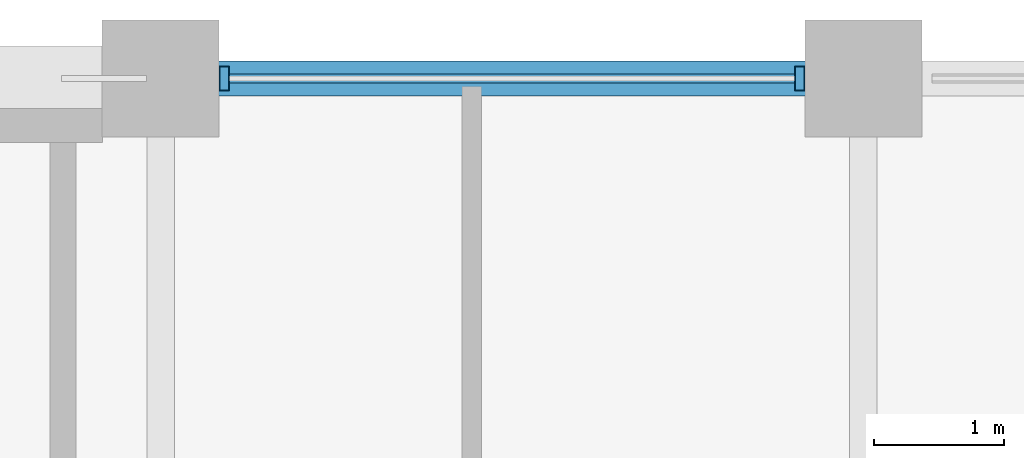
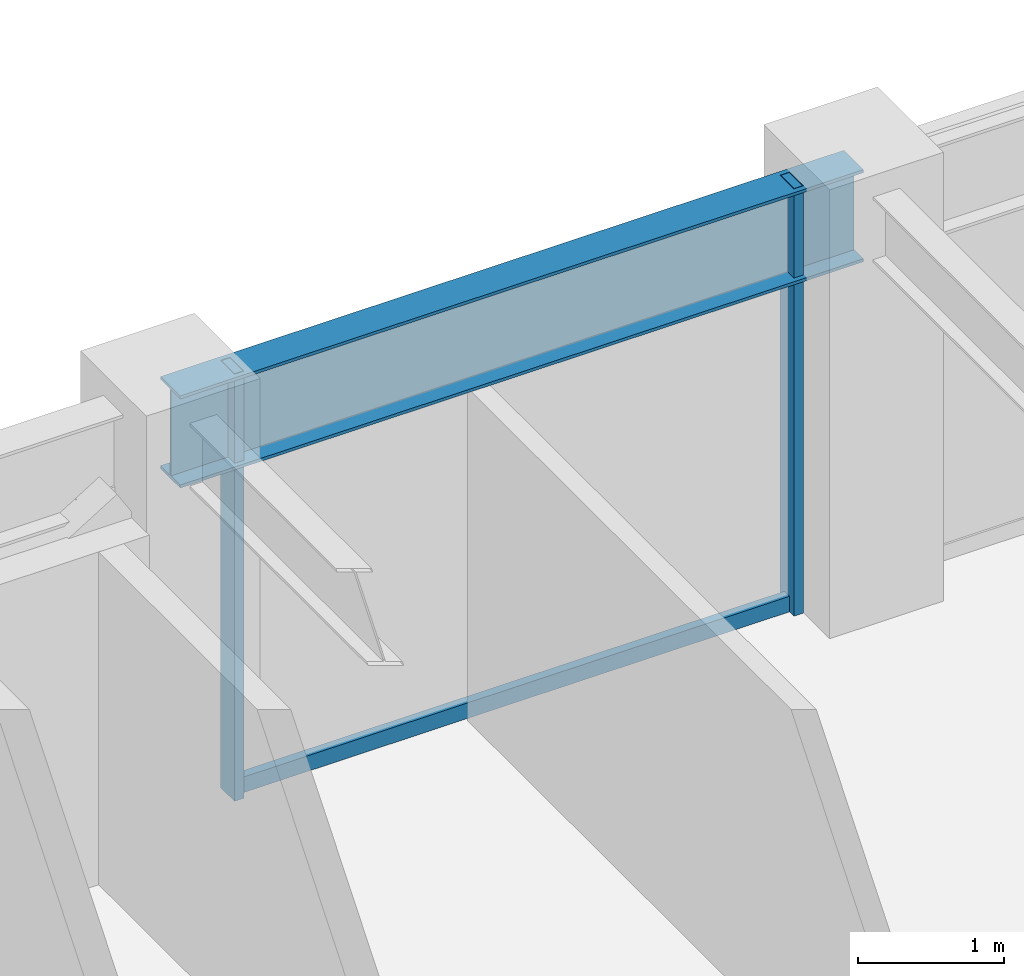
# One storey, part 23 of 32: 3 members, 1 beam, 1 element without a shape of its own.
"""IFC4 building model written with IfcOpenShell, lengths in metres."""

from ifc_helpers import new_model, si_unit, direction, frame, origin, origin_2d, place, context, subcontext, project, spatial, hollow_rectangle, i_section, extrude, material, layer, layer_set, material_profile, profile_set, type_object, element, aggregate, save


model = new_model("IFC4")

# Units and contexts
model_context = context("Model", 3, precision=1e-05, world=origin(), true_north=direction((0.0, 1.0)))
body_context = subcontext(model_context, "Body", "Model", "MODEL_VIEW")
ifc_project = project(units=[si_unit("LENGTHUNIT", "METRE"), si_unit("AREAUNIT", "SQUARE_METRE"), si_unit("VOLUMEUNIT", "CUBIC_METRE"), si_unit("PLANEANGLEUNIT", "RADIAN"), si_unit("MASSUNIT", "GRAM", prefix="KILO")], contexts=[model_context])

# Site, building, storey
site_placement = place(None, origin())
site = spatial("IfcSite", under=ifc_project, at=site_placement, CompositionType="ELEMENT")
building_placement = place(site_placement, origin())
building = spatial("IfcBuilding", under=site, at=building_placement, Name="Surkhivell Harbour Commons", CompositionType="ELEMENT")
storey_placement = place(building_placement, frame((0.0, 0.0, 201.0)))
storey = spatial("IfcBuildingStorey", under=building, at=storey_placement, Name="L52", CompositionType="ELEMENT", Elevation=201.0)

# Beam
ifc_material_1 = material(Name="Steel S355", Category="steel")
ifc_material_profile_1 = material_profile(ifc_material_1, i_section(OverallWidth=0.26806640625, OverallDepth=0.77001953125, WebThickness=0.015625, FlangeThickness=0.025390625, at=origin_2d()), Name="UB762x267x197")
ifc_profile_set_1 = profile_set([ifc_material_profile_1], Name="Steel S355")
beam_type = type_object("IfcBeamType", Name="BM-SPN-762", PredefinedType="SPANDREL", material=ifc_profile_set_1)
beam_placement = place(storey_placement, frame((5.39990234375, 25.89990234375, 3.18505859375), z_axis=(1.0, 0.0, 0.0), x_axis=(0.0, 1.0, 0.0)))
element("IfcBeam", 1, at=beam_placement, inside=storey, type_object=beam_type, Name="L52 Tube Spandrel (5.4,25.9)", PredefinedType="SPANDREL", context=body_context, shape_type="SweptSolid", body=[
    extrude(i_section(OverallWidth=0.26806640625, OverallDepth=0.77001953125, WebThickness=0.015625, FlangeThickness=0.025390625, at=origin_2d()), origin(), (0.0, 0.0, 1.0), 5.400146484375),
])

# Curtain wall, members
ifc_material_2 = material(Name="Anodised pale-metal aluminium and insulated glazing", Category="aluminium")
ifc_layer = layer(ifc_material_2, 0.18994140625)
ifc_layer_set = layer_set([ifc_layer], Name="Anodised pale-metal aluminium and insulated glazing")
curtain_wall_type = type_object("IfcCurtainWallType", Name="CW-SYS-Z3", PredefinedType="NOTDEFINED", material=ifc_layer_set)
curtain_wall_placement = place(storey_placement, origin())
curtain_wall = element("IfcCurtainWall", 2, at=curtain_wall_placement, inside=storey, type_object=curtain_wall_type, Name="L52 Curtain Wall CW-L52-E07S1", PredefinedType="NOTDEFINED")
ifc_material_3 = material(Name="Anodised pale-metal aluminium alloy 6063-T6", Category="aluminium")
ifc_material_profile_2 = material_profile(ifc_material_3, hollow_rectangle(XDim=0.074951171875, YDim=0.18994140625, WallThickness=0.00390625, at=origin_2d()), Name="ALU-MULL-75x190")
ifc_profile_set_2 = profile_set([ifc_material_profile_2], Name="Anodised pale-metal aluminium alloy 6063-T6")
member_type_1 = type_object("IfcMemberType", Name="CWM-190", PredefinedType="MULLION", material=ifc_profile_set_2)
member_1_placement = place(storey_placement, frame((10.310546875, 25.89990234375, 0.0), z_axis=(0.0, 0.0, 1.0), x_axis=(-1.0, 0.0, 0.0)))
member_1 = element("IfcMember", 3, at=member_1_placement, type_object=member_type_1, Name="CW-Z3 mullion 2", PredefinedType="MULLION", context=body_context, shape_type="SweptSolid", body=[
    extrude(hollow_rectangle(XDim=0.074951171875, YDim=0.18994140625, WallThickness=0.00390625, at=origin_2d()), origin(), (0.0, 0.0, 1.0), 3.570068359375),
])
member_2_placement = place(storey_placement, frame((5.889404296875, 25.89990234375, 0.0), z_axis=(0.0, 0.0, 1.0), x_axis=(-1.0, 0.0, 0.0)))
member_2 = element("IfcMember", 4, at=member_2_placement, type_object=member_type_1, Name="CW-Z3 mullion 3", PredefinedType="MULLION", context=body_context, shape_type="SweptSolid", body=[
    extrude(hollow_rectangle(XDim=0.074951171875, YDim=0.18994140625, WallThickness=0.00390625, at=origin_2d()), origin(), (0.0, 0.0, 1.0), 3.570068359375),
])
ifc_material_4 = material(Name="Champagne anodised aluminium alloy 6063-T6", Category="aluminium")
ifc_material_profile_3 = material_profile(ifc_material_4, hollow_rectangle(XDim=0.070068359375, YDim=0.1298828125, WallThickness=0.00341796875, at=origin_2d()), Name="ALU-TRAN-70x130")
ifc_profile_set_3 = profile_set([ifc_material_profile_3], Name="Champagne anodised aluminium alloy 6063-T6")
member_type_2 = type_object("IfcMemberType", Name="CWT-130", PredefinedType="USERDEFINED", material=ifc_profile_set_3)
member_3_placement = place(storey_placement, frame((10.27294921875, 25.89990234375, 0.06494140625), z_axis=(-1.0, 0.0, 0.0), x_axis=(0.0, -1.0, 0.0)))
member_3 = element("IfcMember", 5, at=member_3_placement, type_object=member_type_2, Name="CW-Z3 transom 2.1", ObjectType="TRANSOM", PredefinedType="USERDEFINED", context=body_context, shape_type="SweptSolid", body=[
    extrude(hollow_rectangle(XDim=0.070068359375, YDim=0.1298828125, WallThickness=0.00341796875, at=origin_2d()), origin(), (0.0, 0.0, 1.0), 4.345947265625),
])
aggregate(curtain_wall, [member_1, member_2, member_3])

save(model, "model.ifc")
